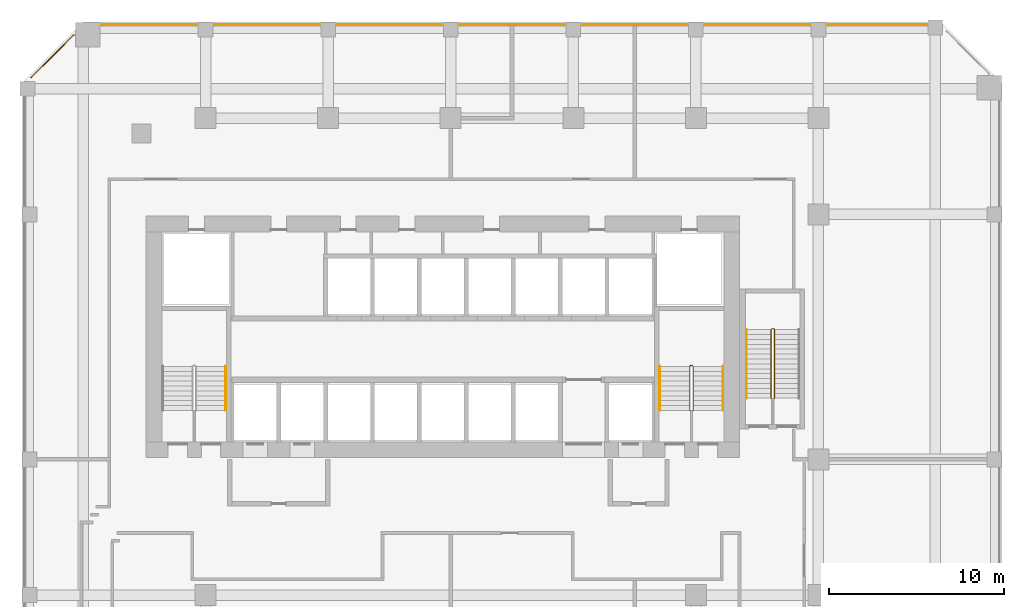
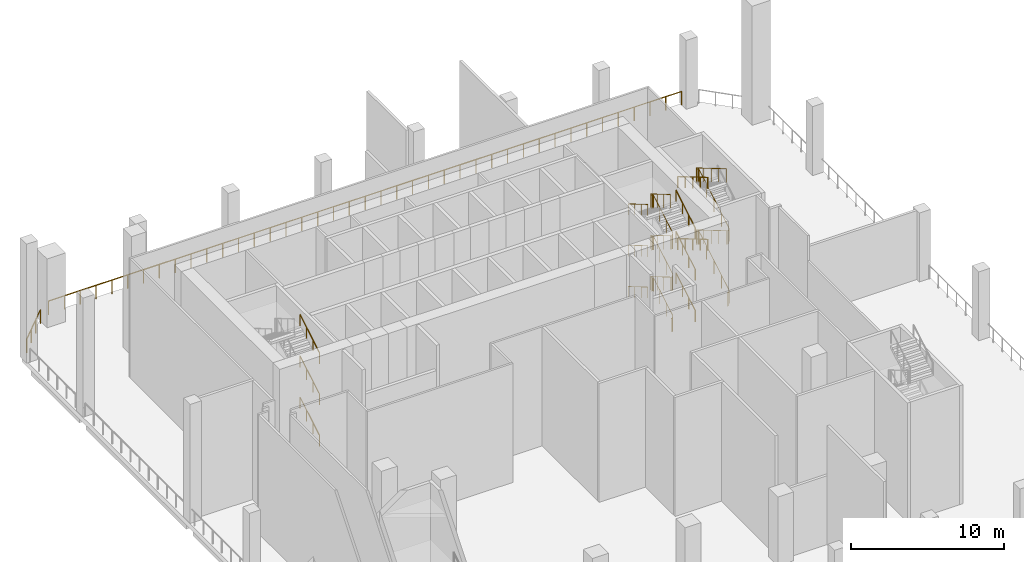
# One storey, part 11 of 12: 15 railings.
"""IFC4 building model written with IfcOpenShell, lengths in metres."""

from ifc_helpers import new_model, si_unit, direction, frame, origin, origin_2d, place, context, subcontext, project, spatial, circle, extrude, material, type_object, element, save


model = new_model("IFC4")

# Units and contexts
model_context = context("Model", 3, precision=1e-05, world=origin(), true_north=direction((0.0, 1.0)))
body_context = subcontext(model_context, "Body", "Model", "MODEL_VIEW")
ifc_project = project(units=[si_unit("LENGTHUNIT", "METRE"), si_unit("AREAUNIT", "SQUARE_METRE"), si_unit("VOLUMEUNIT", "CUBIC_METRE"), si_unit("PLANEANGLEUNIT", "RADIAN"), si_unit("MASSUNIT", "GRAM", prefix="KILO")], contexts=[model_context])

# Site, building, storey
site_placement = place(None, origin())
site = spatial("IfcSite", under=ifc_project, at=site_placement, CompositionType="ELEMENT")
building_placement = place(site_placement, origin())
building = spatial("IfcBuilding", under=site, at=building_placement, Name="Kilnfold Tower and Market Hall", CompositionType="ELEMENT")
storey_placement = place(building_placement, frame((0.0, 0.0, 128.60009765625)))
storey = spatial("IfcBuildingStorey", under=building, at=storey_placement, Name="L30 Refuge Wind Floor", CompositionType="ELEMENT", Elevation=128.60009765625)

# Railings
ifc_material_1 = material(Name="Stainless steel 316", Category="steel")
railing_type_1 = type_object("IfcRailingType", Name="CORE STAIR GUARD 1100", PredefinedType="GUARDRAIL", material=ifc_material_1)
railing_1_placement = place(storey_placement, frame((15.199951171875, 10.75, 0.0)))
element("IfcRailing", 1, at=railing_1_placement, inside=storey, type_object=railing_type_1, Name="L30 Refuge Wind Floor ST2 stair guard 1", PredefinedType="GUARDRAIL", context=body_context, shape_type="SweptSolid", body=[
    extrude(circle(Radius=0.02392578125, at=origin_2d()), frame((0.0, 0.0, 1.076171875), z_axis=(1.0, 0.0, 0.0), x_axis=(0.0, 1.0, 0.0)), (0.0, 0.0, 1.0), 0.10009765625),
    extrude(circle(Radius=0.02392578125, at=origin_2d()), frame((0.10009765625, 0.0, 1.076171875), z_axis=(0.279053652268, 0.279053652268, 0.918835196492), x_axis=(-0.707106781187, 0.707106781187, 0.0)), (0.0, 0.0, 1.0), 0.179443359375),
    extrude(circle(Radius=0.02392578125, at=origin_2d()), frame((0.150146484375, 0.050048828125, 1.24072265625), z_axis=(0.0, 0.86152411907, 0.507716645641), x_axis=(-1.0, 0.0, 0.0)), (0.0, 0.0, 1.0), 2.925048828125),
    extrude(circle(Radius=0.02392578125, at=origin_2d()), frame((0.150146484375, 2.570068359375, 2.72607421875), z_axis=(-0.707106781187, 0.707106781187, 0.0), x_axis=(-0.707106781187, -0.707106781187, 0.0)), (0.0, 0.0, 1.0), 0.07080078125),
    extrude(circle(Radius=0.02392578125, at=origin_2d()), frame((0.10009765625, 2.6201171875, 2.72607421875), z_axis=(-1.0, 0.0, 0.0), x_axis=(0.0, -1.0, 0.0)), (0.0, 0.0, 1.0), 0.10009765625),
    extrude(circle(Radius=0.02392578125, at=origin_2d()), frame((0.0, 2.6201171875, 2.72607421875), z_axis=(-0.278705021027, -0.278705021027, 0.919046801044), x_axis=(0.707106781187, -0.707106781187, 0.0)), (0.0, 0.0, 1.0), 0.1796875),
    extrude(circle(Radius=0.02392578125, at=origin_2d()), frame((-0.050048828125, 2.570068359375, 2.89111328125), z_axis=(0.0, -0.861560626758, 0.507654692109), x_axis=(1.0, 0.0, 0.0)), (0.0, 0.0, 1.0), 2.925048828125),
    extrude(circle(Radius=0.02392578125, at=origin_2d()), frame((-0.050048828125, 0.050048828125, 4.3759765625), z_axis=(0.707106781187, -0.707106781187, 0.0), x_axis=(0.707106781187, 0.707106781187, 0.0)), (0.0, 0.0, 1.0), 0.07080078125),
    extrude(circle(Radius=0.02392578125, at=origin_2d()), frame((0.0, 0.0, 4.3759765625), z_axis=(1.0, 0.0, 0.0), x_axis=(0.0, 1.0, 0.0)), (0.0, 0.0, 1.0), 0.10009765625),
    extrude(circle(Radius=0.02392578125, at=origin_2d()), frame((0.10009765625, 0.0, 4.3759765625), z_axis=(0.278705021027, 0.278705021027, 0.919046801044), x_axis=(-0.707106781187, 0.707106781187, 0.0)), (0.0, 0.0, 1.0), 0.1796875),
    extrude(circle(Radius=0.02392578125, at=origin_2d()), frame((0.150146484375, 0.050048828125, 4.541015625), z_axis=(0.0, 0.86152411907, 0.507716645641), x_axis=(-1.0, 0.0, 0.0)), (0.0, 0.0, 1.0), 2.925048828125),
    extrude(circle(Radius=0.02392578125, at=origin_2d()), frame((0.150146484375, 2.570068359375, 6.02587890625), z_axis=(-0.707106781187, 0.707106781187, 0.0), x_axis=(-0.707106781187, -0.707106781187, 0.0)), (0.0, 0.0, 1.0), 0.07080078125),
    extrude(circle(Radius=0.02392578125, at=origin_2d()), frame((0.10009765625, 2.6201171875, 6.02587890625), z_axis=(-1.0, 0.0, 0.0), x_axis=(0.0, -1.0, 0.0)), (0.0, 0.0, 1.0), 0.10009765625),
    extrude(circle(Radius=0.02392578125, at=origin_2d()), frame((0.0, 2.6201171875, 6.02587890625), z_axis=(-0.278705021027, -0.278705021027, 0.919046801044), x_axis=(0.707106781187, -0.707106781187, 0.0)), (0.0, 0.0, 1.0), 0.1796875),
    extrude(circle(Radius=0.02392578125, at=origin_2d()), frame((-0.050048828125, 2.570068359375, 6.19091796875), z_axis=(0.0, -0.861560626758, 0.507654692109), x_axis=(1.0, 0.0, 0.0)), (0.0, 0.0, 1.0), 2.925048828125),
    extrude(circle(Radius=0.02392578125, at=origin_2d()), frame((-0.050048828125, 0.050048828125, 7.67578125), z_axis=(0.707106781187, -0.707106781187, 0.0), x_axis=(0.707106781187, 0.707106781187, 0.0)), (0.0, 0.0, 1.0), 0.07080078125),
    extrude(circle(Radius=0.02392578125, at=origin_2d()), frame((0.0, 0.0, 7.67578125), z_axis=(1.0, 0.0, 0.0), x_axis=(0.0, 1.0, 0.0)), (0.0, 0.0, 1.0), 0.10009765625),
    extrude(circle(Radius=0.02392578125, at=origin_2d()), frame((0.10009765625, 0.0, 7.67578125), z_axis=(0.278705021027, 0.278705021027, 0.919046801044), x_axis=(-0.707106781187, 0.707106781187, 0.0)), (0.0, 0.0, 1.0), 0.1796875),
    extrude(circle(Radius=0.02392578125, at=origin_2d()), frame((0.150146484375, 0.050048828125, 7.8408203125), z_axis=(0.0, 0.86152411907, 0.507716645641), x_axis=(-1.0, 0.0, 0.0)), (0.0, 0.0, 1.0), 2.925048828125),
    extrude(circle(Radius=0.02392578125, at=origin_2d()), frame((0.150146484375, 2.570068359375, 9.326171875), z_axis=(-0.707106781187, 0.707106781187, 0.0), x_axis=(-0.707106781187, -0.707106781187, 0.0)), (0.0, 0.0, 1.0), 0.07080078125),
    extrude(circle(Radius=0.02392578125, at=origin_2d()), frame((0.10009765625, 2.6201171875, 9.326171875), z_axis=(-1.0, 0.0, 0.0), x_axis=(0.0, -1.0, 0.0)), (0.0, 0.0, 1.0), 0.10009765625),
    extrude(circle(Radius=0.02392578125, at=origin_2d()), frame((0.0, 2.6201171875, 9.326171875), z_axis=(-0.279053652268, -0.279053652268, 0.918835196492), x_axis=(0.707106781187, -0.707106781187, 0.0)), (0.0, 0.0, 1.0), 0.179443359375),
    extrude(circle(Radius=0.02392578125, at=origin_2d()), frame((-0.050048828125, 2.570068359375, 9.49072265625), z_axis=(0.0, -0.86152411907, 0.507716645641), x_axis=(1.0, 0.0, 0.0)), (0.0, 0.0, 1.0), 2.925048828125),
    extrude(circle(Radius=0.02099609375, at=origin_2d()), origin(), (0.0, 0.0, 1.0), 1.052001953125),
    extrude(circle(Radius=0.02099609375, at=origin_2d()), frame((0.10009765625, 0.0, 0.0)), (0.0, 0.0, 1.0), 1.052001953125),
    extrude(circle(Radius=0.02099609375, at=origin_2d()), frame((0.150146484375, 0.050048828125, 0.164794921875)), (0.0, 0.0, 1.0), 1.052001953125),
    extrude(circle(Radius=0.02099609375, at=origin_2d()), frame((0.150146484375, 0.89013671875, 0.659912109375)), (0.0, 0.0, 1.0), 1.052001953125),
    extrude(circle(Radius=0.02099609375, at=origin_2d()), frame((0.150146484375, 1.72998046875, 1.15478515625)), (0.0, 0.0, 1.0), 1.052001953125),
    extrude(circle(Radius=0.02099609375, at=origin_2d()), frame((0.150146484375, 2.570068359375, 1.64990234375)), (0.0, 0.0, 1.0), 1.052001953125),
    extrude(circle(Radius=0.02099609375, at=origin_2d()), frame((0.10009765625, 2.6201171875, 1.64990234375)), (0.0, 0.0, 1.0), 1.052001953125),
    extrude(circle(Radius=0.02099609375, at=origin_2d()), frame((0.0, 2.6201171875, 1.64990234375)), (0.0, 0.0, 1.0), 1.052001953125),
    extrude(circle(Radius=0.02099609375, at=origin_2d()), frame((-0.050048828125, 2.570068359375, 1.81494140625)), (0.0, 0.0, 1.0), 1.052001953125),
    extrude(circle(Radius=0.02099609375, at=origin_2d()), frame((-0.050048828125, 1.72998046875, 2.309814453125)), (0.0, 0.0, 1.0), 1.052001953125),
    extrude(circle(Radius=0.02099609375, at=origin_2d()), frame((-0.050048828125, 0.89013671875, 2.804931640625)), (0.0, 0.0, 1.0), 1.052001953125),
    extrude(circle(Radius=0.02099609375, at=origin_2d()), frame((-0.050048828125, 0.050048828125, 3.2998046875)), (0.0, 0.0, 1.0), 1.052001953125),
    extrude(circle(Radius=0.02099609375, at=origin_2d()), frame((0.0, 0.0, 3.2998046875)), (0.0, 0.0, 1.0), 1.052001953125),
    extrude(circle(Radius=0.02099609375, at=origin_2d()), frame((0.10009765625, 0.0, 3.2998046875)), (0.0, 0.0, 1.0), 1.052001953125),
    extrude(circle(Radius=0.02099609375, at=origin_2d()), frame((0.150146484375, 0.050048828125, 3.46484375)), (0.0, 0.0, 1.0), 1.052001953125),
    extrude(circle(Radius=0.02099609375, at=origin_2d()), frame((0.150146484375, 0.89013671875, 3.9599609375)), (0.0, 0.0, 1.0), 1.052001953125),
    extrude(circle(Radius=0.02099609375, at=origin_2d()), frame((0.150146484375, 1.72998046875, 4.454833984375)), (0.0, 0.0, 1.0), 1.052001953125),
    extrude(circle(Radius=0.02099609375, at=origin_2d()), frame((0.150146484375, 2.570068359375, 4.949951171875)), (0.0, 0.0, 1.0), 1.052001953125),
    extrude(circle(Radius=0.02099609375, at=origin_2d()), frame((0.10009765625, 2.6201171875, 4.949951171875)), (0.0, 0.0, 1.0), 1.052001953125),
    extrude(circle(Radius=0.02099609375, at=origin_2d()), frame((0.0, 2.6201171875, 4.949951171875)), (0.0, 0.0, 1.0), 1.052001953125),
    extrude(circle(Radius=0.02099609375, at=origin_2d()), frame((-0.050048828125, 2.570068359375, 5.114990234375)), (0.0, 0.0, 1.0), 1.052001953125),
    extrude(circle(Radius=0.02099609375, at=origin_2d()), frame((-0.050048828125, 1.72998046875, 5.60986328125)), (0.0, 0.0, 1.0), 1.052001953125),
    extrude(circle(Radius=0.02099609375, at=origin_2d()), frame((-0.050048828125, 0.89013671875, 6.10498046875)), (0.0, 0.0, 1.0), 1.052001953125),
    extrude(circle(Radius=0.02099609375, at=origin_2d()), frame((-0.050048828125, 0.050048828125, 6.599853515625)), (0.0, 0.0, 1.0), 1.052001953125),
    extrude(circle(Radius=0.02099609375, at=origin_2d()), frame((0.0, 0.0, 6.599853515625)), (0.0, 0.0, 1.0), 1.052001953125),
    extrude(circle(Radius=0.02099609375, at=origin_2d()), frame((0.10009765625, 0.0, 6.599853515625)), (0.0, 0.0, 1.0), 1.052001953125),
    extrude(circle(Radius=0.02099609375, at=origin_2d()), frame((0.150146484375, 0.050048828125, 6.764892578125)), (0.0, 0.0, 1.0), 1.052001953125),
    extrude(circle(Radius=0.02099609375, at=origin_2d()), frame((0.150146484375, 0.89013671875, 7.260009765625)), (0.0, 0.0, 1.0), 1.052001953125),
    extrude(circle(Radius=0.02099609375, at=origin_2d()), frame((0.150146484375, 1.72998046875, 7.7548828125)), (0.0, 0.0, 1.0), 1.052001953125),
    extrude(circle(Radius=0.02099609375, at=origin_2d()), frame((0.150146484375, 2.570068359375, 8.25)), (0.0, 0.0, 1.0), 1.052001953125),
    extrude(circle(Radius=0.02099609375, at=origin_2d()), frame((0.10009765625, 2.6201171875, 8.25)), (0.0, 0.0, 1.0), 1.052001953125),
    extrude(circle(Radius=0.02099609375, at=origin_2d()), frame((0.0, 2.6201171875, 8.25)), (0.0, 0.0, 1.0), 1.052001953125),
    extrude(circle(Radius=0.02099609375, at=origin_2d()), frame((-0.050048828125, 2.570068359375, 8.414794921875)), (0.0, 0.0, 1.0), 1.052001953125),
    extrude(circle(Radius=0.02099609375, at=origin_2d()), frame((-0.050048828125, 1.72998046875, 8.909912109375)), (0.0, 0.0, 1.0), 1.052001953125),
    extrude(circle(Radius=0.02099609375, at=origin_2d()), frame((-0.050048828125, 0.89013671875, 9.40478515625)), (0.0, 0.0, 1.0), 1.052001953125),
    extrude(circle(Radius=0.02099609375, at=origin_2d()), frame((-0.050048828125, 0.050048828125, 9.89990234375)), (0.0, 0.0, 1.0), 1.052001953125),
])
railing_2_placement = place(storey_placement, frame((19.85009765625, 11.449951171875, 0.0)))
element("IfcRailing", 2, at=railing_2_placement, inside=storey, type_object=railing_type_1, Name="L30 Refuge Wind Floor ST5 stair guard 1", PredefinedType="GUARDRAIL", context=body_context, shape_type="SweptSolid", body=[
    extrude(circle(Radius=0.02392578125, at=origin_2d()), frame((0.0, 0.0, 1.076171875), z_axis=(1.0, 0.0, 0.0), x_axis=(0.0, 1.0, 0.0)), (0.0, 0.0, 1.0), 0.099853515625),
    extrude(circle(Radius=0.02392578125, at=origin_2d()), frame((0.099853515625, 0.0, 1.076171875), z_axis=(0.279053652268, 0.279053652268, 0.918835196492), x_axis=(-0.707106781187, 0.707106781187, 0.0)), (0.0, 0.0, 1.0), 0.179443359375),
    extrude(circle(Radius=0.02392578125, at=origin_2d()), frame((0.14990234375, 0.050048828125, 1.24072265625), z_axis=(0.0, 0.861528402928, 0.507709376464), x_axis=(-1.0, 0.0, 0.0)), (0.0, 0.0, 1.0), 4.550048828125),
    extrude(circle(Radius=0.02392578125, at=origin_2d()), frame((0.14990234375, 3.969970703125, 3.55078125), z_axis=(-0.707106781187, 0.707106781187, 0.0), x_axis=(-0.707106781187, -0.707106781187, 0.0)), (0.0, 0.0, 1.0), 0.07080078125),
    extrude(circle(Radius=0.02392578125, at=origin_2d()), frame((0.099853515625, 4.02001953125, 3.55078125), z_axis=(-1.0, 0.0, 0.0), x_axis=(0.0, -1.0, 0.0)), (0.0, 0.0, 1.0), 0.099853515625),
    extrude(circle(Radius=0.02392578125, at=origin_2d()), frame((0.0, 4.02001953125, 3.55078125), z_axis=(-0.278705021027, -0.278705021027, 0.919046801044), x_axis=(0.707106781187, -0.707106781187, 0.0)), (0.0, 0.0, 1.0), 0.1796875),
    extrude(circle(Radius=0.02392578125, at=origin_2d()), frame((-0.050048828125, 3.969970703125, 3.7158203125), z_axis=(0.0, -0.861528402928, 0.507709376464), x_axis=(1.0, 0.0, 0.0)), (0.0, 0.0, 1.0), 4.550048828125),
    extrude(circle(Radius=0.02392578125, at=origin_2d()), frame((-0.050048828125, 0.050048828125, 6.02587890625), z_axis=(0.707106781187, -0.707106781187, 0.0), x_axis=(0.707106781187, 0.707106781187, 0.0)), (0.0, 0.0, 1.0), 0.07080078125),
    extrude(circle(Radius=0.02392578125, at=origin_2d()), frame((0.0, 0.0, 6.02587890625), z_axis=(1.0, 0.0, 0.0), x_axis=(0.0, 1.0, 0.0)), (0.0, 0.0, 1.0), 0.099853515625),
    extrude(circle(Radius=0.02392578125, at=origin_2d()), frame((0.099853515625, 0.0, 6.02587890625), z_axis=(0.278705021027, 0.278705021027, 0.919046801044), x_axis=(-0.707106781187, 0.707106781187, 0.0)), (0.0, 0.0, 1.0), 0.1796875),
    extrude(circle(Radius=0.02392578125, at=origin_2d()), frame((0.14990234375, 0.050048828125, 6.19091796875), z_axis=(0.0, 0.861551872859, 0.507669548401), x_axis=(-1.0, 0.0, 0.0)), (0.0, 0.0, 1.0), 4.5498046875),
    extrude(circle(Radius=0.02392578125, at=origin_2d()), frame((0.14990234375, 3.969970703125, 8.5009765625), z_axis=(-0.707106781187, 0.707106781187, 0.0), x_axis=(-0.707106781187, -0.707106781187, 0.0)), (0.0, 0.0, 1.0), 0.07080078125),
    extrude(circle(Radius=0.02392578125, at=origin_2d()), frame((0.099853515625, 4.02001953125, 8.5009765625), z_axis=(-1.0, 0.0, 0.0), x_axis=(0.0, -1.0, 0.0)), (0.0, 0.0, 1.0), 0.099853515625),
    extrude(circle(Radius=0.02392578125, at=origin_2d()), frame((0.0, 4.02001953125, 8.5009765625), z_axis=(-0.278705021027, -0.278705021027, 0.919046801044), x_axis=(0.707106781187, -0.707106781187, 0.0)), (0.0, 0.0, 1.0), 0.1796875),
    extrude(circle(Radius=0.02392578125, at=origin_2d()), frame((-0.050048828125, 3.969970703125, 8.666015625), z_axis=(0.0, -0.861528402928, 0.507709376464), x_axis=(1.0, 0.0, 0.0)), (0.0, 0.0, 1.0), 4.550048828125),
    extrude(circle(Radius=0.02099609375, at=origin_2d()), origin(), (0.0, 0.0, 1.0), 1.052001953125),
    extrude(circle(Radius=0.02099609375, at=origin_2d()), frame((0.099853515625, 0.0, 0.0)), (0.0, 0.0, 1.0), 1.052001953125),
    extrude(circle(Radius=0.02099609375, at=origin_2d()), frame((0.14990234375, 0.050048828125, 0.164794921875)), (0.0, 0.0, 1.0), 1.052001953125),
    extrude(circle(Radius=0.02099609375, at=origin_2d()), frame((0.14990234375, 1.030029296875, 0.7421875)), (0.0, 0.0, 1.0), 1.052001953125),
    extrude(circle(Radius=0.02099609375, at=origin_2d()), frame((0.14990234375, 2.010009765625, 1.31982421875)), (0.0, 0.0, 1.0), 1.052001953125),
    extrude(circle(Radius=0.02099609375, at=origin_2d()), frame((0.14990234375, 2.989990234375, 1.8974609375)), (0.0, 0.0, 1.0), 1.052001953125),
    extrude(circle(Radius=0.02099609375, at=origin_2d()), frame((0.14990234375, 3.969970703125, 2.474853515625)), (0.0, 0.0, 1.0), 1.052001953125),
    extrude(circle(Radius=0.02099609375, at=origin_2d()), frame((0.099853515625, 4.02001953125, 2.474853515625)), (0.0, 0.0, 1.0), 1.052001953125),
    extrude(circle(Radius=0.02099609375, at=origin_2d()), frame((0.0, 4.02001953125, 2.474853515625)), (0.0, 0.0, 1.0), 1.052001953125),
    extrude(circle(Radius=0.02099609375, at=origin_2d()), frame((-0.050048828125, 3.969970703125, 2.639892578125)), (0.0, 0.0, 1.0), 1.052001953125),
    extrude(circle(Radius=0.02099609375, at=origin_2d()), frame((-0.050048828125, 2.989990234375, 3.21728515625)), (0.0, 0.0, 1.0), 1.052001953125),
    extrude(circle(Radius=0.02099609375, at=origin_2d()), frame((-0.050048828125, 2.010009765625, 3.794921875)), (0.0, 0.0, 1.0), 1.052001953125),
    extrude(circle(Radius=0.02099609375, at=origin_2d()), frame((-0.050048828125, 1.030029296875, 4.37255859375)), (0.0, 0.0, 1.0), 1.052001953125),
    extrude(circle(Radius=0.02099609375, at=origin_2d()), frame((-0.050048828125, 0.050048828125, 4.949951171875)), (0.0, 0.0, 1.0), 1.052001953125),
    extrude(circle(Radius=0.02099609375, at=origin_2d()), frame((0.0, 0.0, 4.949951171875)), (0.0, 0.0, 1.0), 1.052001953125),
    extrude(circle(Radius=0.02099609375, at=origin_2d()), frame((0.099853515625, 0.0, 4.949951171875)), (0.0, 0.0, 1.0), 1.052001953125),
    extrude(circle(Radius=0.02099609375, at=origin_2d()), frame((0.14990234375, 0.050048828125, 5.114990234375)), (0.0, 0.0, 1.0), 1.052001953125),
    extrude(circle(Radius=0.02099609375, at=origin_2d()), frame((0.14990234375, 1.030029296875, 5.6923828125)), (0.0, 0.0, 1.0), 1.052001953125),
    extrude(circle(Radius=0.02099609375, at=origin_2d()), frame((0.14990234375, 2.010009765625, 6.27001953125)), (0.0, 0.0, 1.0), 1.052001953125),
    extrude(circle(Radius=0.02099609375, at=origin_2d()), frame((0.14990234375, 2.989990234375, 6.847412109375)), (0.0, 0.0, 1.0), 1.052001953125),
    extrude(circle(Radius=0.02099609375, at=origin_2d()), frame((0.14990234375, 3.969970703125, 7.4248046875)), (0.0, 0.0, 1.0), 1.052001953125),
    extrude(circle(Radius=0.02099609375, at=origin_2d()), frame((0.099853515625, 4.02001953125, 7.4248046875)), (0.0, 0.0, 1.0), 1.052001953125),
    extrude(circle(Radius=0.02099609375, at=origin_2d()), frame((0.0, 4.02001953125, 7.4248046875)), (0.0, 0.0, 1.0), 1.052001953125),
    extrude(circle(Radius=0.02099609375, at=origin_2d()), frame((-0.050048828125, 3.969970703125, 7.58984375)), (0.0, 0.0, 1.0), 1.052001953125),
    extrude(circle(Radius=0.02099609375, at=origin_2d()), frame((-0.050048828125, 2.989990234375, 8.16748046875)), (0.0, 0.0, 1.0), 1.052001953125),
    extrude(circle(Radius=0.02099609375, at=origin_2d()), frame((-0.050048828125, 2.010009765625, 8.744873046875)), (0.0, 0.0, 1.0), 1.052001953125),
    extrude(circle(Radius=0.02099609375, at=origin_2d()), frame((-0.050048828125, 1.030029296875, 9.322265625)), (0.0, 0.0, 1.0), 1.052001953125),
    extrude(circle(Radius=0.02099609375, at=origin_2d()), frame((-0.050048828125, 0.050048828125, 9.89990234375)), (0.0, 0.0, 1.0), 1.052001953125),
])
ifc_material_2 = material(Name="Stainless steel 316", Category="steel")
railing_type_2 = type_object("IfcRailingType", Name="CORE STAIR HANDRAIL 900", PredefinedType="HANDRAIL", material=ifc_material_2)
for number, where, name in (
    (3, (-11.35009765625, 10.800048828125, 0.164794921875), "L30 Refuge Wind Floor ST1 stair handrail 1"),
    (4, (-11.35009765625, 10.800048828125, 3.46484375), "L30 Refuge Wind Floor ST1 stair handrail 3"),
    (5, (-11.35009765625, 10.800048828125, 6.764892578125), "L30 Refuge Wind Floor ST1 stair handrail 5"),
    (6, (17.050048828125, 10.800048828125, 0.164794921875), "L30 Refuge Wind Floor ST2 stair handrail 1"),
):
    element("IfcRailing", number, at=place(storey_placement, frame(where)), inside=storey, type_object=railing_type_2, Name=name, PredefinedType="HANDRAIL", context=body_context, shape_type="SweptSolid", body=[
        extrude(circle(Radius=0.02392578125, at=origin_2d()), frame((0.0, 0.0, 0.8759765625), z_axis=(0.0, 0.86152411907, 0.507716645641), x_axis=(-1.0, 0.0, 0.0)), (0.0, 0.0, 1.0), 2.925048828125),
        extrude(circle(Radius=0.02099609375, at=origin_2d()), origin(), (0.0, 0.0, 1.0), 0.851806640625),
        extrude(circle(Radius=0.02099609375, at=origin_2d()), frame((0.0, 0.840087890625, 0.4951171875)), (0.0, 0.0, 1.0), 0.851806640625),
        extrude(circle(Radius=0.02099609375, at=origin_2d()), frame((0.0, 1.679931640625, 0.989990234375)), (0.0, 0.0, 1.0), 0.851806640625),
        extrude(circle(Radius=0.02099609375, at=origin_2d()), frame((0.0, 2.52001953125, 1.485107421875)), (0.0, 0.0, 1.0), 0.851806640625),
    ])
railing_3_placement = place(storey_placement, frame((13.449951171875, 13.320068359375, 1.81494140625)))
element("IfcRailing", 7, at=railing_3_placement, inside=storey, type_object=railing_type_2, Name="L30 Refuge Wind Floor ST2 stair handrail 2", PredefinedType="HANDRAIL", context=body_context, shape_type="SweptSolid", body=[
    extrude(circle(Radius=0.02392578125, at=origin_2d()), frame((0.0, 0.0, 0.8759765625), z_axis=(0.0, -0.861560626758, 0.507654692109), x_axis=(1.0, 0.0, 0.0)), (0.0, 0.0, 1.0), 2.925048828125),
    extrude(circle(Radius=0.02099609375, at=origin_2d()), origin(), (0.0, 0.0, 1.0), 0.851806640625),
    extrude(circle(Radius=0.02099609375, at=origin_2d()), frame((0.0, -0.840087890625, 0.494873046875)), (0.0, 0.0, 1.0), 0.851806640625),
    extrude(circle(Radius=0.02099609375, at=origin_2d()), frame((0.0, -1.679931640625, 0.989990234375)), (0.0, 0.0, 1.0), 0.851806640625),
    extrude(circle(Radius=0.02099609375, at=origin_2d()), frame((0.0, -2.52001953125, 1.48486328125)), (0.0, 0.0, 1.0), 0.851806640625),
])
railing_4_placement = place(storey_placement, frame((17.050048828125, 10.800048828125, 3.46484375)))
element("IfcRailing", 8, at=railing_4_placement, inside=storey, type_object=railing_type_2, Name="L30 Refuge Wind Floor ST2 stair handrail 3", PredefinedType="HANDRAIL", context=body_context, shape_type="SweptSolid", body=[
    extrude(circle(Radius=0.02392578125, at=origin_2d()), frame((0.0, 0.0, 0.8759765625), z_axis=(0.0, 0.86152411907, 0.507716645641), x_axis=(-1.0, 0.0, 0.0)), (0.0, 0.0, 1.0), 2.925048828125),
    extrude(circle(Radius=0.02099609375, at=origin_2d()), origin(), (0.0, 0.0, 1.0), 0.851806640625),
    extrude(circle(Radius=0.02099609375, at=origin_2d()), frame((0.0, 0.840087890625, 0.4951171875)), (0.0, 0.0, 1.0), 0.851806640625),
    extrude(circle(Radius=0.02099609375, at=origin_2d()), frame((0.0, 1.679931640625, 0.989990234375)), (0.0, 0.0, 1.0), 0.851806640625),
    extrude(circle(Radius=0.02099609375, at=origin_2d()), frame((0.0, 2.52001953125, 1.485107421875)), (0.0, 0.0, 1.0), 0.851806640625),
])
railing_5_placement = place(storey_placement, frame((13.449951171875, 13.320068359375, 5.114990234375)))
element("IfcRailing", 9, at=railing_5_placement, inside=storey, type_object=railing_type_2, Name="L30 Refuge Wind Floor ST2 stair handrail 4", PredefinedType="HANDRAIL", context=body_context, shape_type="SweptSolid", body=[
    extrude(circle(Radius=0.02392578125, at=origin_2d()), frame((0.0, 0.0, 0.8759765625), z_axis=(0.0, -0.861560626758, 0.507654692109), x_axis=(1.0, 0.0, 0.0)), (0.0, 0.0, 1.0), 2.925048828125),
    extrude(circle(Radius=0.02099609375, at=origin_2d()), origin(), (0.0, 0.0, 1.0), 0.851806640625),
    extrude(circle(Radius=0.02099609375, at=origin_2d()), frame((0.0, -0.840087890625, 0.494873046875)), (0.0, 0.0, 1.0), 0.851806640625),
    extrude(circle(Radius=0.02099609375, at=origin_2d()), frame((0.0, -1.679931640625, 0.989990234375)), (0.0, 0.0, 1.0), 0.851806640625),
    extrude(circle(Radius=0.02099609375, at=origin_2d()), frame((0.0, -2.52001953125, 1.48486328125)), (0.0, 0.0, 1.0), 0.851806640625),
])
railing_6_placement = place(storey_placement, frame((17.050048828125, 10.800048828125, 6.764892578125)))
element("IfcRailing", 10, at=railing_6_placement, inside=storey, type_object=railing_type_2, Name="L30 Refuge Wind Floor ST2 stair handrail 5", PredefinedType="HANDRAIL", context=body_context, shape_type="SweptSolid", body=[
    extrude(circle(Radius=0.02392578125, at=origin_2d()), frame((0.0, 0.0, 0.8759765625), z_axis=(0.0, 0.86152411907, 0.507716645641), x_axis=(-1.0, 0.0, 0.0)), (0.0, 0.0, 1.0), 2.925048828125),
    extrude(circle(Radius=0.02099609375, at=origin_2d()), origin(), (0.0, 0.0, 1.0), 0.851806640625),
    extrude(circle(Radius=0.02099609375, at=origin_2d()), frame((0.0, 0.840087890625, 0.4951171875)), (0.0, 0.0, 1.0), 0.851806640625),
    extrude(circle(Radius=0.02099609375, at=origin_2d()), frame((0.0, 1.679931640625, 0.989990234375)), (0.0, 0.0, 1.0), 0.851806640625),
    extrude(circle(Radius=0.02099609375, at=origin_2d()), frame((0.0, 2.52001953125, 1.485107421875)), (0.0, 0.0, 1.0), 0.851806640625),
])
railing_7_placement = place(storey_placement, frame((13.449951171875, 13.320068359375, 8.414794921875)))
element("IfcRailing", 11, at=railing_7_placement, inside=storey, type_object=railing_type_2, Name="L30 Refuge Wind Floor ST2 stair handrail 6", PredefinedType="HANDRAIL", context=body_context, shape_type="SweptSolid", body=[
    extrude(circle(Radius=0.02392578125, at=origin_2d()), frame((0.0, 0.0, 0.8759765625), z_axis=(0.0, -0.86152411907, 0.507716645641), x_axis=(1.0, 0.0, 0.0)), (0.0, 0.0, 1.0), 2.925048828125),
    extrude(circle(Radius=0.02099609375, at=origin_2d()), origin(), (0.0, 0.0, 1.0), 0.851806640625),
    extrude(circle(Radius=0.02099609375, at=origin_2d()), frame((0.0, -0.840087890625, 0.4951171875)), (0.0, 0.0, 1.0), 0.851806640625),
    extrude(circle(Radius=0.02099609375, at=origin_2d()), frame((0.0, -1.679931640625, 0.989990234375)), (0.0, 0.0, 1.0), 0.851806640625),
    extrude(circle(Radius=0.02099609375, at=origin_2d()), frame((0.0, -2.52001953125, 1.485107421875)), (0.0, 0.0, 1.0), 0.851806640625),
])
for number, where, name in (
    (12, (18.39990234375, 15.419921875, 2.639892578125), "L30 Refuge Wind Floor ST5 stair handrail 2"),
    (13, (18.39990234375, 15.419921875, 7.58984375), "L30 Refuge Wind Floor ST5 stair handrail 4"),
):
    element("IfcRailing", number, at=place(storey_placement, frame(where)), inside=storey, type_object=railing_type_2, Name=name, PredefinedType="HANDRAIL", context=body_context, shape_type="SweptSolid", body=[
        extrude(circle(Radius=0.02392578125, at=origin_2d()), frame((0.0, 0.0, 0.8759765625), z_axis=(0.0, -0.861528402928, 0.507709376464), x_axis=(1.0, 0.0, 0.0)), (0.0, 0.0, 1.0), 4.550048828125),
        extrude(circle(Radius=0.02099609375, at=origin_2d()), origin(), (0.0, 0.0, 1.0), 0.851806640625),
        extrude(circle(Radius=0.02099609375, at=origin_2d()), frame((0.0, -0.97998046875, 0.57763671875)), (0.0, 0.0, 1.0), 0.851806640625),
        extrude(circle(Radius=0.02099609375, at=origin_2d()), frame((0.0, -1.9599609375, 1.155029296875)), (0.0, 0.0, 1.0), 0.851806640625),
        extrude(circle(Radius=0.02099609375, at=origin_2d()), frame((0.0, -2.93994140625, 1.732421875)), (0.0, 0.0, 1.0), 0.851806640625),
        extrude(circle(Radius=0.02099609375, at=origin_2d()), frame((0.0, -3.919921875, 2.31005859375)), (0.0, 0.0, 1.0), 0.851806640625),
    ])
ifc_material_3 = material(Name="Stainless steel and laminated glass", Category="steel")
railing_type_3 = type_object("IfcRailingType", Name="GUARD 1100", PredefinedType="GUARDRAIL", material=ifc_material_3)
railing_8_placement = place(storey_placement, frame((28.7568359375, 32.85009765625, 0.0)))
element("IfcRailing", 14, at=railing_8_placement, inside=storey, type_object=railing_type_3, Name="Guard edge N L30", PredefinedType="GUARDRAIL", context=body_context, shape_type="SweptSolid", body=[
    extrude(circle(Radius=0.02490234375, at=origin_2d()), frame((0.0, 0.0, 1.0751953125), z_axis=(-1.0, 0.0, 0.0), x_axis=(0.0, -1.0, 0.0)), (0.0, 0.0, 1.0), 47.831787109375),
    extrude(circle(Radius=0.02490234375, at=origin_2d()), origin(), (0.0, 0.0, 1.0), 1.050048828125),
    extrude(circle(Radius=0.02490234375, at=origin_2d()), frame((-1.19580078125, 0.0, 0.0)), (0.0, 0.0, 1.0), 1.050048828125),
    extrude(circle(Radius=0.02490234375, at=origin_2d()), frame((-2.3916015625, 0.0, 0.0)), (0.0, 0.0, 1.0), 1.050048828125),
    extrude(circle(Radius=0.02490234375, at=origin_2d()), frame((-3.58740234375, 0.0, 0.0)), (0.0, 0.0, 1.0), 1.050048828125),
    extrude(circle(Radius=0.02490234375, at=origin_2d()), frame((-4.783203125, 0.0, 0.0)), (0.0, 0.0, 1.0), 1.050048828125),
    extrude(circle(Radius=0.02490234375, at=origin_2d()), frame((-5.97900390625, 0.0, 0.0)), (0.0, 0.0, 1.0), 1.050048828125),
    extrude(circle(Radius=0.02490234375, at=origin_2d()), frame((-7.1748046875, 0.0, 0.0)), (0.0, 0.0, 1.0), 1.050048828125),
    extrude(circle(Radius=0.02490234375, at=origin_2d()), frame((-8.37060546875, 0.0, 0.0)), (0.0, 0.0, 1.0), 1.050048828125),
    extrude(circle(Radius=0.02490234375, at=origin_2d()), frame((-9.56640625, 0.0, 0.0)), (0.0, 0.0, 1.0), 1.050048828125),
    extrude(circle(Radius=0.02490234375, at=origin_2d()), frame((-10.76220703125, 0.0, 0.0)), (0.0, 0.0, 1.0), 1.050048828125),
    extrude(circle(Radius=0.02490234375, at=origin_2d()), frame((-11.9580078125, 0.0, 0.0)), (0.0, 0.0, 1.0), 1.050048828125),
    extrude(circle(Radius=0.02490234375, at=origin_2d()), frame((-13.15380859375, 0.0, 0.0)), (0.0, 0.0, 1.0), 1.050048828125),
    extrude(circle(Radius=0.02490234375, at=origin_2d()), frame((-14.349609375, 0.0, 0.0)), (0.0, 0.0, 1.0), 1.050048828125),
    extrude(circle(Radius=0.02490234375, at=origin_2d()), frame((-15.54541015625, 0.0, 0.0)), (0.0, 0.0, 1.0), 1.050048828125),
    extrude(circle(Radius=0.02490234375, at=origin_2d()), frame((-16.7412109375, 0.0, 0.0)), (0.0, 0.0, 1.0), 1.050048828125),
    extrude(circle(Radius=0.02490234375, at=origin_2d()), frame((-17.93701171875, 0.0, 0.0)), (0.0, 0.0, 1.0), 1.050048828125),
    extrude(circle(Radius=0.02490234375, at=origin_2d()), frame((-19.1328125, 0.0, 0.0)), (0.0, 0.0, 1.0), 1.050048828125),
    extrude(circle(Radius=0.02490234375, at=origin_2d()), frame((-20.32861328125, 0.0, 0.0)), (0.0, 0.0, 1.0), 1.050048828125),
    extrude(circle(Radius=0.02490234375, at=origin_2d()), frame((-21.5244140625, 0.0, 0.0)), (0.0, 0.0, 1.0), 1.050048828125),
    extrude(circle(Radius=0.02490234375, at=origin_2d()), frame((-22.72021484375, 0.0, 0.0)), (0.0, 0.0, 1.0), 1.050048828125),
    extrude(circle(Radius=0.02490234375, at=origin_2d()), frame((-23.916015625, 0.0, 0.0)), (0.0, 0.0, 1.0), 1.050048828125),
    extrude(circle(Radius=0.02490234375, at=origin_2d()), frame((-25.111572265625, 0.0, 0.0)), (0.0, 0.0, 1.0), 1.050048828125),
    extrude(circle(Radius=0.02490234375, at=origin_2d()), frame((-26.307373046875, 0.0, 0.0)), (0.0, 0.0, 1.0), 1.050048828125),
    extrude(circle(Radius=0.02490234375, at=origin_2d()), frame((-27.503173828125, 0.0, 0.0)), (0.0, 0.0, 1.0), 1.050048828125),
    extrude(circle(Radius=0.02490234375, at=origin_2d()), frame((-28.698974609375, 0.0, 0.0)), (0.0, 0.0, 1.0), 1.050048828125),
    extrude(circle(Radius=0.02490234375, at=origin_2d()), frame((-29.894775390625, 0.0, 0.0)), (0.0, 0.0, 1.0), 1.050048828125),
    extrude(circle(Radius=0.02490234375, at=origin_2d()), frame((-31.090576171875, 0.0, 0.0)), (0.0, 0.0, 1.0), 1.050048828125),
    extrude(circle(Radius=0.02490234375, at=origin_2d()), frame((-32.286376953125, 0.0, 0.0)), (0.0, 0.0, 1.0), 1.050048828125),
    extrude(circle(Radius=0.02490234375, at=origin_2d()), frame((-33.482177734375, 0.0, 0.0)), (0.0, 0.0, 1.0), 1.050048828125),
    extrude(circle(Radius=0.02490234375, at=origin_2d()), frame((-34.677978515625, 0.0, 0.0)), (0.0, 0.0, 1.0), 1.050048828125),
    extrude(circle(Radius=0.02490234375, at=origin_2d()), frame((-35.873779296875, 0.0, 0.0)), (0.0, 0.0, 1.0), 1.050048828125),
    extrude(circle(Radius=0.02490234375, at=origin_2d()), frame((-37.069580078125, 0.0, 0.0)), (0.0, 0.0, 1.0), 1.050048828125),
    extrude(circle(Radius=0.02490234375, at=origin_2d()), frame((-38.265380859375, 0.0, 0.0)), (0.0, 0.0, 1.0), 1.050048828125),
    extrude(circle(Radius=0.02490234375, at=origin_2d()), frame((-39.461181640625, 0.0, 0.0)), (0.0, 0.0, 1.0), 1.050048828125),
    extrude(circle(Radius=0.02490234375, at=origin_2d()), frame((-40.656982421875, 0.0, 0.0)), (0.0, 0.0, 1.0), 1.050048828125),
    extrude(circle(Radius=0.02490234375, at=origin_2d()), frame((-41.852783203125, 0.0, 0.0)), (0.0, 0.0, 1.0), 1.050048828125),
    extrude(circle(Radius=0.02490234375, at=origin_2d()), frame((-43.048583984375, 0.0, 0.0)), (0.0, 0.0, 1.0), 1.050048828125),
    extrude(circle(Radius=0.02490234375, at=origin_2d()), frame((-44.244384765625, 0.0, 0.0)), (0.0, 0.0, 1.0), 1.050048828125),
    extrude(circle(Radius=0.02490234375, at=origin_2d()), frame((-45.440185546875, 0.0, 0.0)), (0.0, 0.0, 1.0), 1.050048828125),
    extrude(circle(Radius=0.02490234375, at=origin_2d()), frame((-46.635986328125, 0.0, 0.0)), (0.0, 0.0, 1.0), 1.050048828125),
    extrude(circle(Radius=0.02490234375, at=origin_2d()), frame((-47.831787109375, 0.0, 0.0)), (0.0, 0.0, 1.0), 1.050048828125),
])
railing_9_placement = place(storey_placement, frame((-20.0439453125, 32.243896484375, 0.0)))
element("IfcRailing", 15, at=railing_9_placement, inside=storey, type_object=railing_type_3, Name="Guard edge NW L30", PredefinedType="GUARDRAIL", context=body_context, shape_type="SweptSolid", body=[
    extrude(circle(Radius=0.02490234375, at=origin_2d()), frame((0.0, 0.0, 1.0751953125), z_axis=(-0.707106781187, -0.707106781187, 0.0), x_axis=(0.707106781187, -0.707106781187, 0.0)), (0.0, 0.0, 1.0), 3.429443359375),
    extrude(circle(Radius=0.02490234375, at=origin_2d()), origin(), (0.0, 0.0, 1.0), 1.050048828125),
    extrude(circle(Radius=0.02490234375, at=origin_2d()), frame((-0.808349609375, -0.808349609375, 0.0)), (0.0, 0.0, 1.0), 1.050048828125),
    extrude(circle(Radius=0.02490234375, at=origin_2d()), frame((-1.61669921875, -1.61669921875, 0.0)), (0.0, 0.0, 1.0), 1.050048828125),
    extrude(circle(Radius=0.02490234375, at=origin_2d()), frame((-2.425048828125, -2.425048828125, 0.0)), (0.0, 0.0, 1.0), 1.050048828125),
])

save(model, "model.ifc")
